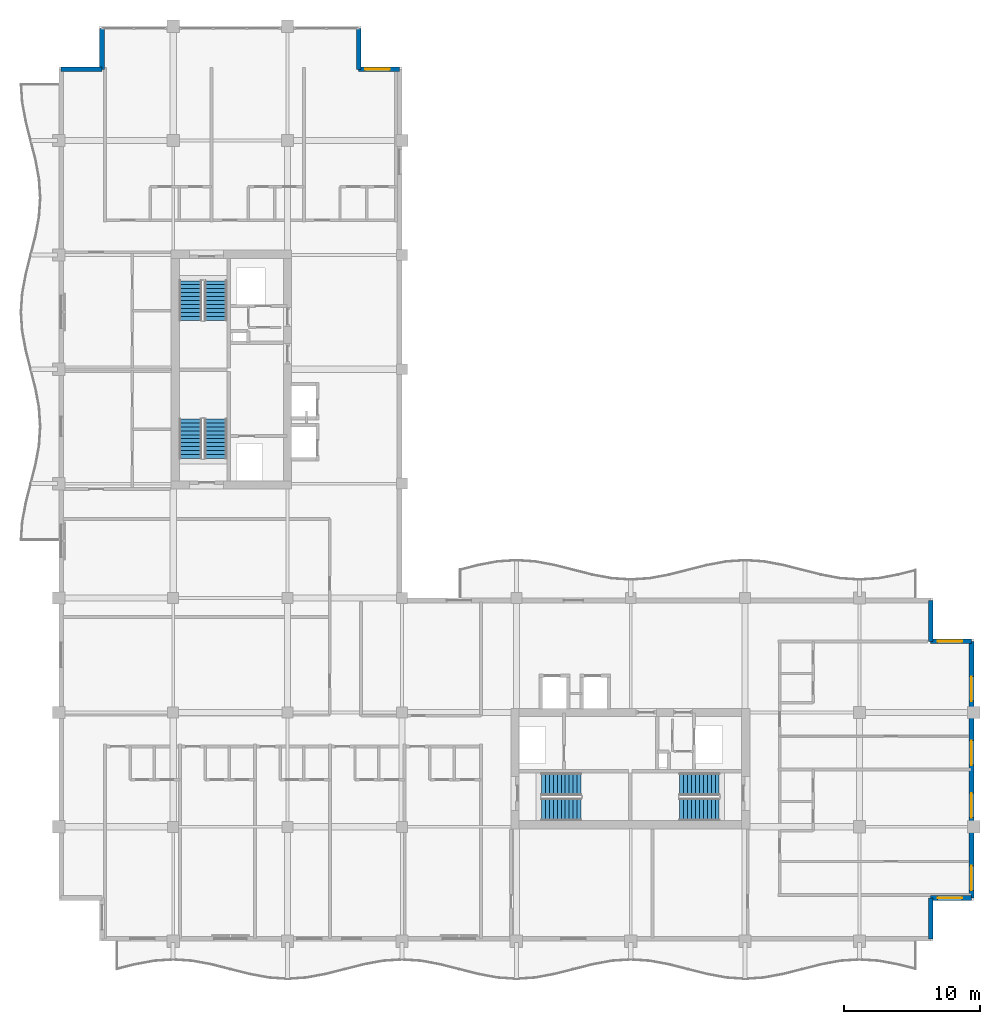
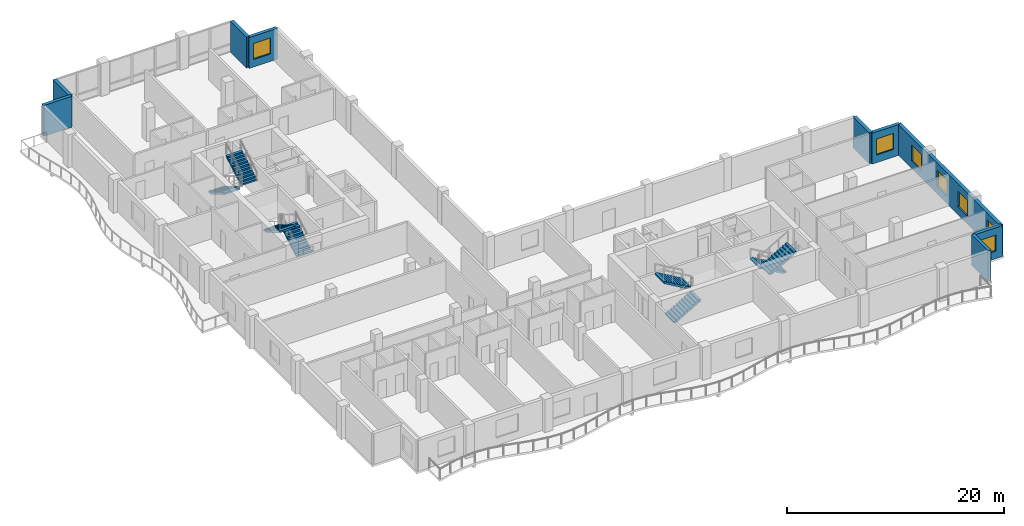
# One storey, part 11 of 15: 9 walls, 8 stair flights, 7 windows, 7 openings, 4 elements without a shape of their own.
"""IFC4 building model written with IfcOpenShell, lengths in metres."""

from ifc_helpers import new_model, si_unit, direction, frame, frame_2d, origin, place, context, subcontext, project, spatial, polyline, rectangle, outline, extrude, material, layer, layer_set, type_object, element, fill, aggregate, save


model = new_model("IFC4")

# Units and contexts
model_context = context("Model", 3, precision=1e-05, world=origin(), true_north=direction((0.0, 1.0)))
body_context = subcontext(model_context, "Body", "Model", "MODEL_VIEW")
ifc_project = project(units=[si_unit("LENGTHUNIT", "METRE"), si_unit("AREAUNIT", "SQUARE_METRE"), si_unit("VOLUMEUNIT", "CUBIC_METRE"), si_unit("PLANEANGLEUNIT", "RADIAN"), si_unit("MASSUNIT", "GRAM", prefix="KILO")], contexts=[model_context])

# Site, building, storey
site_placement = place(None, origin())
site = spatial("IfcSite", under=ifc_project, at=site_placement, CompositionType="ELEMENT")
building_placement = place(site_placement, origin())
building = spatial("IfcBuilding", under=site, at=building_placement, Name="Koriwani Terraces Tower", CompositionType="ELEMENT")
storey_placement = place(building_placement, frame((0.0, 0.0, 282.300048828125)))
storey = spatial("IfcBuildingStorey", under=building, at=storey_placement, Name="L70", CompositionType="ELEMENT", Elevation=282.300048828125)

# Walls
ifc_material_1 = material(Name="Concrete C50/60", Category="concrete")
ifc_layer = layer(ifc_material_1, 0.35009765625, Name="Concrete C50/60")
ifc_layer_set = layer_set([ifc_layer], Name="Concrete C50/60")
wall_type = type_object("IfcWallType", Name="WALL_EXT_BRUTALIST_350", PredefinedType="STANDARD", material=ifc_layer_set)
for number, where, z_axis, x_axis, name in (
    (1, (8.574951171875, 72.425048828125, 0.0), (0.0, 0.0, 1.0), (1.0, 0.0, 0.0), "L70 Fair-Faced Brutalist Exterior Wall (N3)"),
    (2, (11.574951171875, 72.425048828125, 0.0), (0.0, 0.0, 1.0), (0.0, 1.0, 0.0), "L70 Fair-Faced Brutalist Exterior Wall (N4)"),
    (3, (30.425048828125, 75.425048828125, 0.0), (0.0, 0.0, 1.0), (0.0, -1.0, 0.0), "L70 Fair-Faced Brutalist Exterior Wall (N6)"),
):
    element("IfcWall", number, at=place(storey_placement, frame(where, z_axis=z_axis, x_axis=x_axis)), inside=storey, type_object=wall_type, Name=name, PredefinedType="STANDARD", context=body_context, shape_type="SweptSolid", body=[
        extrude(rectangle(XDim=3.0, YDim=0.35009765625, at=frame_2d((1.5, 0.0))), origin(), (0.0, 0.0, 1.0), 3.469970703125),
    ])

# Wall, opening, window
wall_1_placement = place(storey_placement, frame((30.425048828125, 72.425048828125, 0.0), z_axis=(0.0, 0.0, 1.0), x_axis=(1.0, 0.0, 0.0)))
wall_1 = element("IfcWall", 4, at=wall_1_placement, inside=storey, type_object=wall_type, Name="L70 Fair-Faced Brutalist Exterior Wall (N7)", PredefinedType="STANDARD", context=body_context, shape_type="SweptSolid", body=[
    extrude(rectangle(XDim=3.0, YDim=0.35009765625, at=frame_2d((1.5, 0.0))), origin(), (0.0, 0.0, 1.0), 3.469970703125),
])
opening_1_placement = place(wall_1_placement, frame((0.472412109375, 0.0, 0.85009765625)))
opening_1 = element("IfcOpeningElement", 5, at=opening_1_placement, cuts=wall_1, Name="Opening W-04", PredefinedType="OPENING", context=body_context, shape_type="SweptSolid", body=[
    extrude(rectangle(XDim=1.800048828125, YDim=1.800048828125, at=frame_2d((0.89990234375, 0.89990234375))), frame((0.0, 0.18505859375, 0.0), z_axis=(0.0, -1.0, 0.0), x_axis=(1.0, 0.0, 0.0)), (0.0, 0.0, 1.0), 0.3701171875),
])
ifc_material_2 = material(Name="Tempered Laminated Low-E Glass", Category="glass")
window_type = type_object("IfcWindowType", Name="WIN_RES_BED_1800X1800", PartitioningType="DOUBLE_PANEL_VERTICAL", PredefinedType="WINDOW", material=ifc_material_2)
window_1_placement = place(opening_1_placement, origin())
window_1 = element("IfcWindow", 6, at=window_1_placement, inside=storey, type_object=window_type, Name="L70 Exterior Window (N7-R57)", OverallHeight=1.800048828125, OverallWidth=1.800048828125, PartitioningType="SINGLE_PANEL", PredefinedType="WINDOW", context=body_context, shape_type="SweptSolid", body=[
    extrude(rectangle(XDim=1.800048828125, YDim=1.800048828125, at=frame_2d((0.89990234375, 0.89990234375))), frame((0.0, 0.030029296875, 0.0), z_axis=(0.0, -1.0, 0.0), x_axis=(1.0, 0.0, 0.0)), (0.0, 0.0, 1.0), 0.06005859375),
])
fill(opening_1, window_1)

# Wall
wall_2_placement = place(storey_placement, frame((72.425048828125, 33.425048828125, 0.0), z_axis=(0.0, 0.0, 1.0), x_axis=(0.0, -1.0, 0.0)))
element("IfcWall", 7, at=wall_2_placement, inside=storey, type_object=wall_type, Name="L70 Fair-Faced Brutalist Exterior Wall (N10)", PredefinedType="STANDARD", context=body_context, shape_type="SweptSolid", body=[
    extrude(rectangle(XDim=3.0, YDim=0.35009765625, at=frame_2d((1.5, 0.0))), origin(), (0.0, 0.0, 1.0), 3.469970703125),
])

# Wall, opening, window
wall_3_placement = place(storey_placement, frame((72.425048828125, 30.425048828125, 0.0), z_axis=(0.0, 0.0, 1.0), x_axis=(1.0, 0.0, 0.0)))
wall_3 = element("IfcWall", 8, at=wall_3_placement, inside=storey, type_object=wall_type, Name="L70 Fair-Faced Brutalist Exterior Wall (N11)", PredefinedType="STANDARD", context=body_context, shape_type="SweptSolid", body=[
    extrude(rectangle(XDim=3.0, YDim=0.35009765625, at=frame_2d((1.5, 0.0))), origin(), (0.0, 0.0, 1.0), 3.469970703125),
])
opening_2_placement = place(wall_3_placement, frame((0.507568359375, 0.0, 0.85009765625)))
opening_2 = element("IfcOpeningElement", 9, at=opening_2_placement, cuts=wall_3, Name="Opening W-04", PredefinedType="OPENING", context=body_context, shape_type="SweptSolid", body=[
    extrude(rectangle(XDim=1.800048828125, YDim=1.800048828125, at=frame_2d((0.89990234375, 0.89990234375))), frame((0.0, 0.18505859375, 0.0), z_axis=(0.0, -1.0, 0.0), x_axis=(1.0, 0.0, 0.0)), (0.0, 0.0, 1.0), 0.3701171875),
])
window_2_placement = place(opening_2_placement, origin())
window_2 = element("IfcWindow", 10, at=window_2_placement, inside=storey, type_object=window_type, Name="L70 Exterior Window (N11-R65)", OverallHeight=1.800048828125, OverallWidth=1.800048828125, PartitioningType="SINGLE_PANEL", PredefinedType="WINDOW", context=body_context, shape_type="SweptSolid", body=[
    extrude(rectangle(XDim=1.800048828125, YDim=1.800048828125, at=frame_2d((0.89990234375, 0.89990234375))), frame((0.0, 0.030029296875, 0.0), z_axis=(0.0, -1.0, 0.0), x_axis=(1.0, 0.0, 0.0)), (0.0, 0.0, 1.0), 0.06005859375),
])
fill(opening_2, window_2)

# Wall, openings, windows
wall_4_placement = place(storey_placement, frame((75.425048828125, 30.425048828125, 0.0), z_axis=(0.0, 0.0, 1.0), x_axis=(0.0, -1.0, 0.0)))
wall_4 = element("IfcWall", 11, at=wall_4_placement, inside=storey, type_object=wall_type, Name="L70 Fair-Faced Brutalist Exterior Wall (E_TIP)", PredefinedType="STANDARD", context=body_context, shape_type="SweptSolid", body=[
    extrude(rectangle(XDim=18.85009765625, YDim=0.35009765625, at=frame_2d((9.425048828125, 0.0))), origin(), (0.0, 0.0, 1.0), 3.469970703125),
])
opening_3_placement = place(wall_4_placement, frame((16.5, 0.0, 0.85009765625)))
opening_3 = element("IfcOpeningElement", 12, at=opening_3_placement, cuts=wall_4, Name="Opening W-04", PredefinedType="OPENING", context=body_context, shape_type="SweptSolid", body=[
    extrude(rectangle(XDim=1.800048828125, YDim=1.800048828125, at=frame_2d((0.89990234375, 0.89990234375))), frame((0.0, 0.18505859375, 0.0), z_axis=(0.0, -1.0, 0.0), x_axis=(1.0, 0.0, 0.0)), (0.0, 0.0, 1.0), 0.3701171875),
])
opening_4_placement = place(wall_4_placement, frame((11.14990234375, 0.0, 0.85009765625)))
opening_4 = element("IfcOpeningElement", 13, at=opening_4_placement, cuts=wall_4, Name="Opening W-04", PredefinedType="OPENING", context=body_context, shape_type="SweptSolid", body=[
    extrude(rectangle(XDim=1.800048828125, YDim=1.800048828125, at=frame_2d((0.89990234375, 0.89990234375))), frame((0.0, 0.18505859375, 0.0), z_axis=(0.0, -1.0, 0.0), x_axis=(1.0, 0.0, 0.0)), (0.0, 0.0, 1.0), 0.3701171875),
])
opening_5_placement = place(wall_4_placement, frame((7.300048828125, 0.0, 0.85009765625)))
opening_5 = element("IfcOpeningElement", 14, at=opening_5_placement, cuts=wall_4, Name="Opening W-04", PredefinedType="OPENING", context=body_context, shape_type="SweptSolid", body=[
    extrude(rectangle(XDim=1.800048828125, YDim=1.800048828125, at=frame_2d((0.89990234375, 0.89990234375))), frame((0.0, 0.18505859375, 0.0), z_axis=(0.0, -1.0, 0.0), x_axis=(1.0, 0.0, 0.0)), (0.0, 0.0, 1.0), 0.3701171875),
])
opening_6_placement = place(wall_4_placement, frame((2.60009765625, 0.0, 0.85009765625)))
opening_6 = element("IfcOpeningElement", 15, at=opening_6_placement, cuts=wall_4, Name="Opening W-04", PredefinedType="OPENING", context=body_context, shape_type="SweptSolid", body=[
    extrude(rectangle(XDim=1.800048828125, YDim=1.800048828125, at=frame_2d((0.89990234375, 0.89990234375))), frame((0.0, 0.18505859375, 0.0), z_axis=(0.0, -1.0, 0.0), x_axis=(1.0, 0.0, 0.0)), (0.0, 0.0, 1.0), 0.3701171875),
])
window_3_placement = place(opening_3_placement, origin())
window_3 = element("IfcWindow", 16, at=window_3_placement, inside=storey, type_object=window_type, Name="L70 Exterior Window (E_TIP-R60)", OverallHeight=1.800048828125, OverallWidth=1.800048828125, PartitioningType="SINGLE_PANEL", PredefinedType="WINDOW", context=body_context, shape_type="SweptSolid", body=[
    extrude(rectangle(XDim=1.800048828125, YDim=1.800048828125, at=frame_2d((0.89990234375, 0.89990234375))), frame((0.0, 0.030029296875, 0.0), z_axis=(0.0, -1.0, 0.0), x_axis=(1.0, 0.0, 0.0)), (0.0, 0.0, 1.0), 0.06005859375),
])
fill(opening_3, window_3)
window_4_placement = place(opening_4_placement, origin())
window_4 = element("IfcWindow", 17, at=window_4_placement, inside=storey, type_object=window_type, Name="L70 Exterior Window (E_TIP-R61)", OverallHeight=1.800048828125, OverallWidth=1.800048828125, PartitioningType="SINGLE_PANEL", PredefinedType="WINDOW", context=body_context, shape_type="SweptSolid", body=[
    extrude(rectangle(XDim=1.800048828125, YDim=1.800048828125, at=frame_2d((0.89990234375, 0.89990234375))), frame((0.0, 0.030029296875, 0.0), z_axis=(0.0, -1.0, 0.0), x_axis=(1.0, 0.0, 0.0)), (0.0, 0.0, 1.0), 0.06005859375),
])
fill(opening_4, window_4)
window_5_placement = place(opening_5_placement, origin())
window_5 = element("IfcWindow", 18, at=window_5_placement, inside=storey, type_object=window_type, Name="L70 Exterior Window (E_TIP-R64)", OverallHeight=1.800048828125, OverallWidth=1.800048828125, PartitioningType="SINGLE_PANEL", PredefinedType="WINDOW", context=body_context, shape_type="SweptSolid", body=[
    extrude(rectangle(XDim=1.800048828125, YDim=1.800048828125, at=frame_2d((0.89990234375, 0.89990234375))), frame((0.0, 0.030029296875, 0.0), z_axis=(0.0, -1.0, 0.0), x_axis=(1.0, 0.0, 0.0)), (0.0, 0.0, 1.0), 0.06005859375),
])
fill(opening_5, window_5)
window_6_placement = place(opening_6_placement, origin())
window_6 = element("IfcWindow", 19, at=window_6_placement, inside=storey, type_object=window_type, Name="L70 Exterior Window (E_TIP-R65)", OverallHeight=1.800048828125, OverallWidth=1.800048828125, PartitioningType="SINGLE_PANEL", PredefinedType="WINDOW", context=body_context, shape_type="SweptSolid", body=[
    extrude(rectangle(XDim=1.800048828125, YDim=1.800048828125, at=frame_2d((0.89990234375, 0.89990234375))), frame((0.0, 0.030029296875, 0.0), z_axis=(0.0, -1.0, 0.0), x_axis=(1.0, 0.0, 0.0)), (0.0, 0.0, 1.0), 0.06005859375),
])
fill(opening_6, window_6)

# Wall, opening, window
wall_5_placement = place(storey_placement, frame((75.425048828125, 11.574951171875, 0.0), z_axis=(0.0, 0.0, 1.0), x_axis=(-1.0, 0.0, 0.0)))
wall_5 = element("IfcWall", 20, at=wall_5_placement, inside=storey, type_object=wall_type, Name="L70 Fair-Faced Brutalist Exterior Wall (N13)", PredefinedType="STANDARD", context=body_context, shape_type="SweptSolid", body=[
    extrude(rectangle(XDim=3.0, YDim=0.35009765625, at=frame_2d((1.5, 0.0))), origin(), (0.0, 0.0, 1.0), 3.469970703125),
])
opening_7_placement = place(wall_5_placement, frame((0.6923828125, 0.0, 0.85009765625)))
opening_7 = element("IfcOpeningElement", 21, at=opening_7_placement, cuts=wall_5, Name="Opening W-04", PredefinedType="OPENING", context=body_context, shape_type="SweptSolid", body=[
    extrude(rectangle(XDim=1.800048828125, YDim=1.800048828125, at=frame_2d((0.89990234375, 0.89990234375))), frame((0.0, 0.18505859375, 0.0), z_axis=(0.0, -1.0, 0.0), x_axis=(1.0, 0.0, 0.0)), (0.0, 0.0, 1.0), 0.3701171875),
])
window_7_placement = place(opening_7_placement, origin())
window_7 = element("IfcWindow", 22, at=window_7_placement, inside=storey, type_object=window_type, Name="L70 Exterior Window (N13-R60)", OverallHeight=1.800048828125, OverallWidth=1.800048828125, PartitioningType="SINGLE_PANEL", PredefinedType="WINDOW", context=body_context, shape_type="SweptSolid", body=[
    extrude(rectangle(XDim=1.800048828125, YDim=1.800048828125, at=frame_2d((0.89990234375, 0.89990234375))), frame((0.0, 0.030029296875, 0.0), z_axis=(0.0, -1.0, 0.0), x_axis=(1.0, 0.0, 0.0)), (0.0, 0.0, 1.0), 0.06005859375),
])
fill(opening_7, window_7)

# Wall
wall_6_placement = place(storey_placement, frame((72.425048828125, 11.574951171875, 0.0), z_axis=(0.0, 0.0, 1.0), x_axis=(0.0, -1.0, 0.0)))
element("IfcWall", 23, at=wall_6_placement, inside=storey, type_object=wall_type, Name="L70 Fair-Faced Brutalist Exterior Wall (N14)", PredefinedType="STANDARD", context=body_context, shape_type="SweptSolid", body=[
    extrude(rectangle(XDim=3.0, YDim=0.35009765625, at=frame_2d((1.5, 0.0))), origin(), (0.0, 0.0, 1.0), 3.469970703125),
])

# Stair, stair flights
ifc_material_3 = material(Name="Concrete C40/50", Category="concrete")
stair_type = type_object("IfcStairType", Name="STAIR_CORE_DOGLEG_1650", PredefinedType="TWO_STRAIGHT_RUN_STAIR", material=ifc_material_3)
stair_1_placement = place(storey_placement, origin())
stair_1 = element("IfcStair", 24, at=stair_1_placement, inside=storey, type_object=stair_type, Name="L70 West Core Exit Stair 1", PredefinedType="HALF_TURN_STAIR")
stair_flight_type = type_object("IfcStairFlightType", Name="STAIR_FLIGHT_RC_1650", PredefinedType="STRAIGHT", material=ifc_material_3)
stair_flight_1_placement = place(storey_placement, frame((19.925048828125, 43.85009765625, 0.0), z_axis=(0.0, 0.0, 1.0), x_axis=(0.0, 1.0, 0.0)))
stair_flight_1 = element("IfcStairFlight", 25, at=stair_flight_1_placement, type_object=stair_flight_type, Name="ST-W1 flight 1", NumberOfRisers=11, NumberOfTreads=10, PredefinedType="STRAIGHT", RiserHeight=0.168181818, TreadLength=0.29, context=body_context, shape_type="SweptSolid", body=[
    extrude(outline(polyline([(0.0, 0.0), (0.0, 0.168212890625), (0.2900390625, 0.168212890625), (0.2900390625, 0.33642578125), (0.580078125, 0.33642578125), (0.580078125, 0.504638671875), (0.8701171875, 0.504638671875), (0.8701171875, 0.672607421875), (1.159912109375, 0.672607421875), (1.159912109375, 0.8408203125), (1.449951171875, 0.8408203125), (1.449951171875, 1.009033203125), (1.739990234375, 1.009033203125), (1.739990234375, 1.17724609375), (2.030029296875, 1.17724609375), (2.030029296875, 1.345458984375), (2.320068359375, 1.345458984375), (2.320068359375, 1.513671875), (2.610107421875, 1.513671875), (2.610107421875, 1.681884765625), (2.89990234375, 1.681884765625), (2.89990234375, 1.85009765625), (2.89990234375, 1.473876953125), (0.358642578125, 0.0), (0.0, 0.0)])), frame((0.0, 0.824951171875, 0.0), z_axis=(0.0, -1.0, 0.0), x_axis=(1.0, 0.0, 0.0)), (0.0, 0.0, 1.0), 1.64990234375),
])
stair_flight_2_placement = place(storey_placement, frame((18.074951171875, 46.75, 1.849853515625), z_axis=(0.0, 0.0, 1.0), x_axis=(0.0, -1.0, 0.0)))
stair_flight_2 = element("IfcStairFlight", 26, at=stair_flight_2_placement, type_object=stair_flight_type, Name="ST-W1 flight 2", NumberOfRisers=11, NumberOfTreads=10, PredefinedType="STRAIGHT", RiserHeight=0.168181818, TreadLength=0.29, context=body_context, shape_type="SweptSolid", body=[
    extrude(outline(polyline([(0.0, 0.0), (0.0, 0.168212890625), (0.2900390625, 0.168212890625), (0.2900390625, 0.33642578125), (0.580078125, 0.33642578125), (0.580078125, 0.504638671875), (0.8701171875, 0.504638671875), (0.8701171875, 0.672607421875), (1.159912109375, 0.672607421875), (1.159912109375, 0.8408203125), (1.449951171875, 0.8408203125), (1.449951171875, 1.009033203125), (1.739990234375, 1.009033203125), (1.739990234375, 1.17724609375), (2.030029296875, 1.17724609375), (2.030029296875, 1.345458984375), (2.320068359375, 1.345458984375), (2.320068359375, 1.513671875), (2.610107421875, 1.513671875), (2.610107421875, 1.681884765625), (2.89990234375, 1.681884765625), (2.89990234375, 1.85009765625), (2.89990234375, 1.473876953125), (0.358642578125, 0.0), (0.0, 0.0)])), frame((0.0, 0.824951171875, 0.0), z_axis=(0.0, -1.0, 0.0), x_axis=(1.0, 0.0, 0.0)), (0.0, 0.0, 1.0), 1.64990234375),
])
aggregate(stair_1, [stair_flight_1, stair_flight_2])

stair_2_placement = place(storey_placement, origin())
stair_2 = element("IfcStair", 27, at=stair_2_placement, inside=storey, type_object=stair_type, Name="L70 West Core Exit Stair 2", PredefinedType="HALF_TURN_STAIR")
stair_flight_3_placement = place(storey_placement, frame((18.074951171875, 56.89990234375, 0.0), z_axis=(0.0, 0.0, 1.0), x_axis=(0.0, -1.0, 0.0)))
stair_flight_3 = element("IfcStairFlight", 28, at=stair_flight_3_placement, type_object=stair_flight_type, Name="ST-W2 flight 1", NumberOfRisers=11, NumberOfTreads=10, PredefinedType="STRAIGHT", RiserHeight=0.168181818, TreadLength=0.29, context=body_context, shape_type="SweptSolid", body=[
    extrude(outline(polyline([(0.0, 0.0), (0.0, 0.168212890625), (0.2900390625, 0.168212890625), (0.2900390625, 0.33642578125), (0.580078125, 0.33642578125), (0.580078125, 0.504638671875), (0.8701171875, 0.504638671875), (0.8701171875, 0.672607421875), (1.159912109375, 0.672607421875), (1.159912109375, 0.8408203125), (1.449951171875, 0.8408203125), (1.449951171875, 1.009033203125), (1.739990234375, 1.009033203125), (1.739990234375, 1.17724609375), (2.030029296875, 1.17724609375), (2.030029296875, 1.345458984375), (2.320068359375, 1.345458984375), (2.320068359375, 1.513671875), (2.610107421875, 1.513671875), (2.610107421875, 1.681884765625), (2.89990234375, 1.681884765625), (2.89990234375, 1.85009765625), (2.89990234375, 1.473876953125), (0.358642578125, 0.0), (0.0, 0.0)])), frame((0.0, 0.824951171875, 0.0), z_axis=(0.0, -1.0, 0.0), x_axis=(1.0, 0.0, 0.0)), (0.0, 0.0, 1.0), 1.64990234375),
])
stair_flight_4_placement = place(storey_placement, frame((19.925048828125, 54.0, 1.849853515625), z_axis=(0.0, 0.0, 1.0), x_axis=(0.0, 1.0, 0.0)))
stair_flight_4 = element("IfcStairFlight", 29, at=stair_flight_4_placement, type_object=stair_flight_type, Name="ST-W2 flight 2", NumberOfRisers=11, NumberOfTreads=10, PredefinedType="STRAIGHT", RiserHeight=0.168181818, TreadLength=0.29, context=body_context, shape_type="SweptSolid", body=[
    extrude(outline(polyline([(0.0, 0.0), (0.0, 0.168212890625), (0.2900390625, 0.168212890625), (0.2900390625, 0.33642578125), (0.580078125, 0.33642578125), (0.580078125, 0.504638671875), (0.8701171875, 0.504638671875), (0.8701171875, 0.672607421875), (1.159912109375, 0.672607421875), (1.159912109375, 0.8408203125), (1.449951171875, 0.8408203125), (1.449951171875, 1.009033203125), (1.739990234375, 1.009033203125), (1.739990234375, 1.17724609375), (2.030029296875, 1.17724609375), (2.030029296875, 1.345458984375), (2.320068359375, 1.345458984375), (2.320068359375, 1.513671875), (2.610107421875, 1.513671875), (2.610107421875, 1.681884765625), (2.89990234375, 1.681884765625), (2.89990234375, 1.85009765625), (2.89990234375, 1.473876953125), (0.358642578125, 0.0), (0.0, 0.0)])), frame((0.0, 0.824951171875, 0.0), z_axis=(0.0, -1.0, 0.0), x_axis=(1.0, 0.0, 0.0)), (0.0, 0.0, 1.0), 1.64990234375),
])
aggregate(stair_2, [stair_flight_3, stair_flight_4])

stair_3_placement = place(storey_placement, origin())
stair_3 = element("IfcStair", 30, at=stair_3_placement, inside=storey, type_object=stair_type, Name="L70 East Core Exit Stair 1", PredefinedType="HALF_TURN_STAIR")
stair_flight_5_placement = place(storey_placement, frame((43.85009765625, 18.074951171875, 0.0), z_axis=(0.0, 0.0, 1.0), x_axis=(1.0, 0.0, 0.0)))
stair_flight_5 = element("IfcStairFlight", 31, at=stair_flight_5_placement, type_object=stair_flight_type, Name="ST-E1 flight 1", NumberOfRisers=11, NumberOfTreads=10, PredefinedType="STRAIGHT", RiserHeight=0.168181818, TreadLength=0.29, context=body_context, shape_type="SweptSolid", body=[
    extrude(outline(polyline([(0.0, 0.0), (0.0, 0.168212890625), (0.2900390625, 0.168212890625), (0.2900390625, 0.33642578125), (0.580078125, 0.33642578125), (0.580078125, 0.504638671875), (0.8701171875, 0.504638671875), (0.8701171875, 0.672607421875), (1.159912109375, 0.672607421875), (1.159912109375, 0.8408203125), (1.449951171875, 0.8408203125), (1.449951171875, 1.009033203125), (1.739990234375, 1.009033203125), (1.739990234375, 1.17724609375), (2.030029296875, 1.17724609375), (2.030029296875, 1.345458984375), (2.320068359375, 1.345458984375), (2.320068359375, 1.513671875), (2.610107421875, 1.513671875), (2.610107421875, 1.681884765625), (2.89990234375, 1.681884765625), (2.89990234375, 1.85009765625), (2.89990234375, 1.473876953125), (0.358642578125, 0.0), (0.0, 0.0)])), frame((0.0, 0.824951171875, 0.0), z_axis=(0.0, -1.0, 0.0), x_axis=(1.0, 0.0, 0.0)), (0.0, 0.0, 1.0), 1.64990234375),
])
stair_flight_6_placement = place(storey_placement, frame((46.75, 19.925048828125, 1.849853515625), z_axis=(0.0, 0.0, 1.0), x_axis=(-1.0, 0.0, 0.0)))
stair_flight_6 = element("IfcStairFlight", 32, at=stair_flight_6_placement, type_object=stair_flight_type, Name="ST-E1 flight 2", NumberOfRisers=11, NumberOfTreads=10, PredefinedType="STRAIGHT", RiserHeight=0.168181818, TreadLength=0.29, context=body_context, shape_type="SweptSolid", body=[
    extrude(outline(polyline([(0.0, 0.0), (0.0, 0.168212890625), (0.2900390625, 0.168212890625), (0.2900390625, 0.33642578125), (0.580078125, 0.33642578125), (0.580078125, 0.504638671875), (0.8701171875, 0.504638671875), (0.8701171875, 0.672607421875), (1.159912109375, 0.672607421875), (1.159912109375, 0.8408203125), (1.449951171875, 0.8408203125), (1.449951171875, 1.009033203125), (1.739990234375, 1.009033203125), (1.739990234375, 1.17724609375), (2.030029296875, 1.17724609375), (2.030029296875, 1.345458984375), (2.320068359375, 1.345458984375), (2.320068359375, 1.513671875), (2.610107421875, 1.513671875), (2.610107421875, 1.681884765625), (2.89990234375, 1.681884765625), (2.89990234375, 1.85009765625), (2.89990234375, 1.473876953125), (0.358642578125, 0.0), (0.0, 0.0)])), frame((0.0, 0.824951171875, 0.0), z_axis=(0.0, -1.0, 0.0), x_axis=(1.0, 0.0, 0.0)), (0.0, 0.0, 1.0), 1.64990234375),
])
aggregate(stair_3, [stair_flight_5, stair_flight_6])

stair_4_placement = place(storey_placement, origin())
stair_4 = element("IfcStair", 33, at=stair_4_placement, inside=storey, type_object=stair_type, Name="L70 East Core Exit Stair 2", PredefinedType="HALF_TURN_STAIR")
stair_flight_7_placement = place(storey_placement, frame((56.89990234375, 19.925048828125, 0.0), z_axis=(0.0, 0.0, 1.0), x_axis=(-1.0, 0.0, 0.0)))
stair_flight_7 = element("IfcStairFlight", 34, at=stair_flight_7_placement, type_object=stair_flight_type, Name="ST-E2 flight 1", NumberOfRisers=11, NumberOfTreads=10, PredefinedType="STRAIGHT", RiserHeight=0.168181818, TreadLength=0.29, context=body_context, shape_type="SweptSolid", body=[
    extrude(outline(polyline([(0.0, 0.0), (0.0, 0.168212890625), (0.2900390625, 0.168212890625), (0.2900390625, 0.33642578125), (0.580078125, 0.33642578125), (0.580078125, 0.504638671875), (0.8701171875, 0.504638671875), (0.8701171875, 0.672607421875), (1.159912109375, 0.672607421875), (1.159912109375, 0.8408203125), (1.449951171875, 0.8408203125), (1.449951171875, 1.009033203125), (1.739990234375, 1.009033203125), (1.739990234375, 1.17724609375), (2.030029296875, 1.17724609375), (2.030029296875, 1.345458984375), (2.320068359375, 1.345458984375), (2.320068359375, 1.513671875), (2.610107421875, 1.513671875), (2.610107421875, 1.681884765625), (2.89990234375, 1.681884765625), (2.89990234375, 1.85009765625), (2.89990234375, 1.473876953125), (0.358642578125, 0.0), (0.0, 0.0)])), frame((0.0, 0.824951171875, 0.0), z_axis=(0.0, -1.0, 0.0), x_axis=(1.0, 0.0, 0.0)), (0.0, 0.0, 1.0), 1.64990234375),
])
stair_flight_8_placement = place(storey_placement, frame((54.0, 18.074951171875, 1.849853515625), z_axis=(0.0, 0.0, 1.0), x_axis=(1.0, 0.0, 0.0)))
stair_flight_8 = element("IfcStairFlight", 35, at=stair_flight_8_placement, type_object=stair_flight_type, Name="ST-E2 flight 2", NumberOfRisers=11, NumberOfTreads=10, PredefinedType="STRAIGHT", RiserHeight=0.168181818, TreadLength=0.29, context=body_context, shape_type="SweptSolid", body=[
    extrude(outline(polyline([(0.0, 0.0), (0.0, 0.168212890625), (0.2900390625, 0.168212890625), (0.2900390625, 0.33642578125), (0.580078125, 0.33642578125), (0.580078125, 0.504638671875), (0.8701171875, 0.504638671875), (0.8701171875, 0.672607421875), (1.159912109375, 0.672607421875), (1.159912109375, 0.8408203125), (1.449951171875, 0.8408203125), (1.449951171875, 1.009033203125), (1.739990234375, 1.009033203125), (1.739990234375, 1.17724609375), (2.030029296875, 1.17724609375), (2.030029296875, 1.345458984375), (2.320068359375, 1.345458984375), (2.320068359375, 1.513671875), (2.610107421875, 1.513671875), (2.610107421875, 1.681884765625), (2.89990234375, 1.681884765625), (2.89990234375, 1.85009765625), (2.89990234375, 1.473876953125), (0.358642578125, 0.0), (0.0, 0.0)])), frame((0.0, 0.824951171875, 0.0), z_axis=(0.0, -1.0, 0.0), x_axis=(1.0, 0.0, 0.0)), (0.0, 0.0, 1.0), 1.64990234375),
])
aggregate(stair_4, [stair_flight_7, stair_flight_8])

save(model, "model.ifc")
